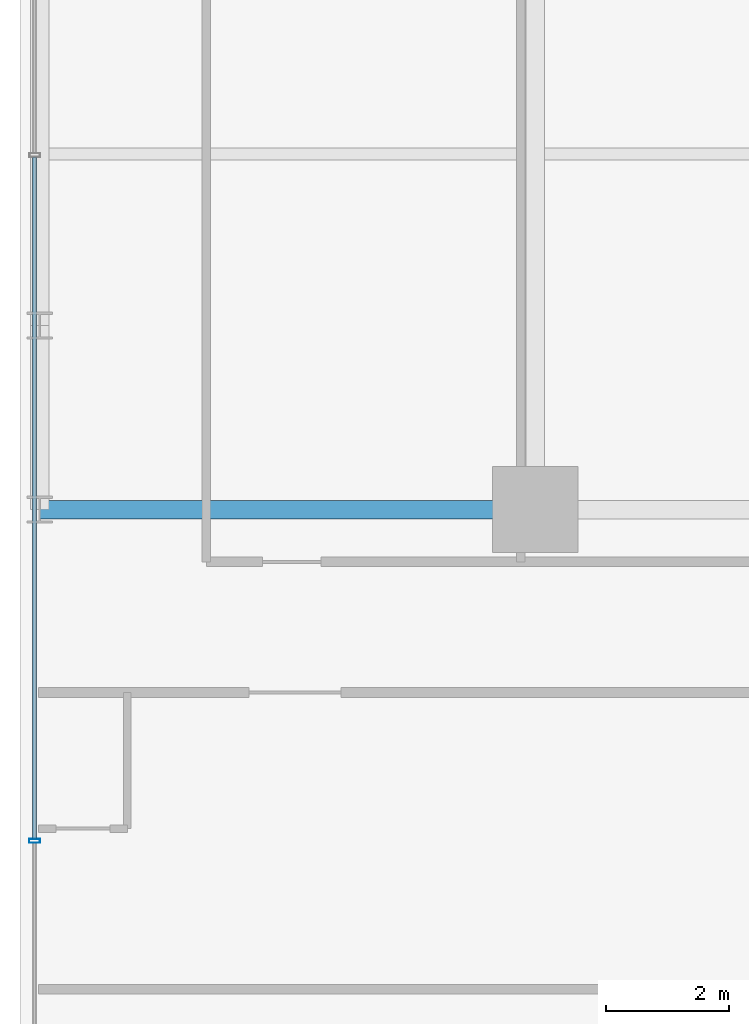
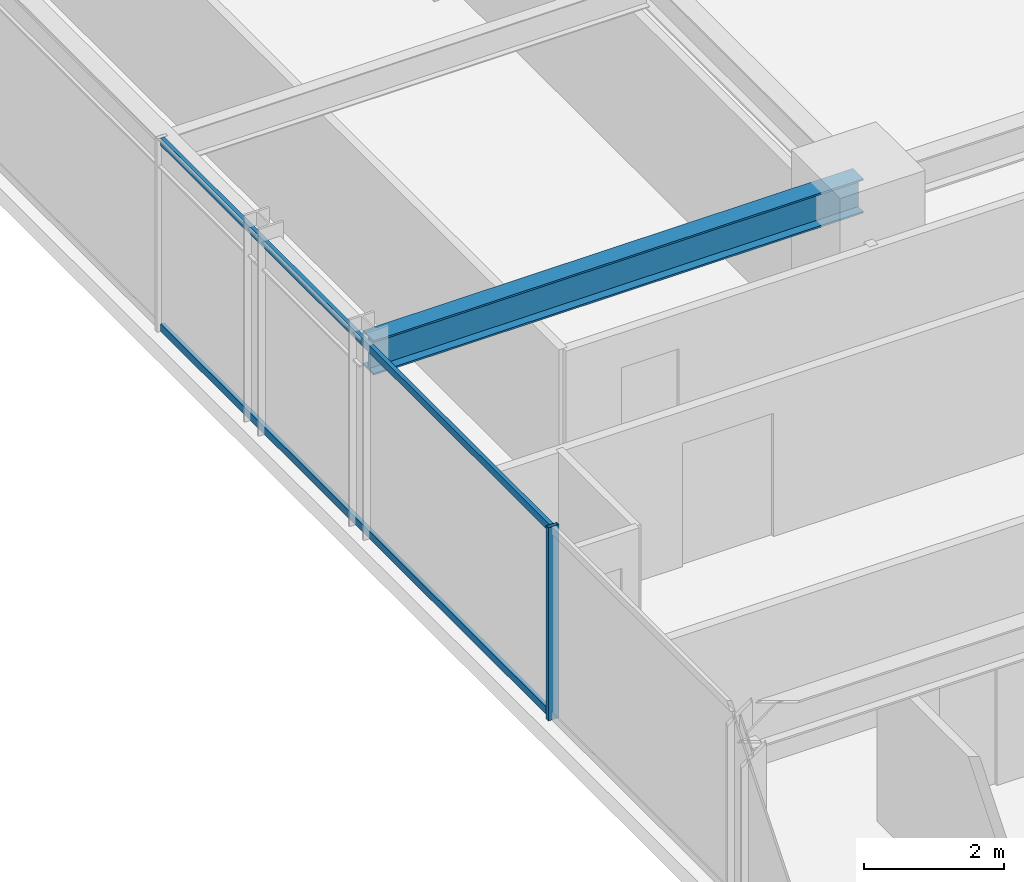
# One storey, part 10 of 35: 3 members, 1 beam, 1 element without a shape of its own.
"""IFC4 building model written with IfcOpenShell, lengths in metres."""

from ifc_helpers import new_model, si_unit, direction, frame, origin, origin_2d, place, context, subcontext, project, spatial, hollow_rectangle, i_section, extrude, source, transform, mapped, material, material_profile, profile_set, type_object, element, aggregate, save


model = new_model("IFC4")

# Units and contexts
model_context = context("Model", 3, precision=1e-05, world=origin(), true_north=direction((0.0, 1.0)))
body_context = subcontext(model_context, "Body", "Model", "MODEL_VIEW")
ifc_project = project(units=[si_unit("LENGTHUNIT", "METRE"), si_unit("AREAUNIT", "SQUARE_METRE"), si_unit("VOLUMEUNIT", "CUBIC_METRE"), si_unit("PLANEANGLEUNIT", "RADIAN"), si_unit("MASSUNIT", "GRAM", prefix="KILO")], contexts=[model_context])

# Site, building, storey
site_placement = place(None, origin())
site = spatial("IfcSite", under=ifc_project, at=site_placement, CompositionType="ELEMENT")
building_placement = place(site_placement, origin())
building = spatial("IfcBuilding", under=site, at=building_placement, Name="Nahalor Promenade Grand Hotel", CompositionType="ELEMENT")
storey_placement = place(building_placement, frame((0.0, 0.0, 39.699951171875)))
storey = spatial("IfcBuildingStorey", under=building, at=storey_placement, Name="L08", CompositionType="ELEMENT", Elevation=39.699951171875)

# Beam
ifc_material_1 = material(Name="Steel S355JR", Category="steel")
ifc_material_profile_1 = material_profile(ifc_material_1, i_section(OverallWidth=0.3, OverallDepth=0.6, WebThickness=0.0155, FlangeThickness=0.03, at=origin_2d()), Name="HEB 600")
ifc_profile_set_1 = profile_set([ifc_material_profile_1], Name="Steel S355JR")
beam_type = type_object("IfcBeamType", Name="Beam-Girder-HEB600", PredefinedType="BEAM", material=ifc_profile_set_1)
shared_shape_1 = source(origin(), body_context, "Body", "SweptSolid", [
    extrude(i_section(OverallWidth=0.3, OverallDepth=0.6, WebThickness=0.0155, FlangeThickness=0.03, at=origin_2d()), origin(), (0.0, 0.0, 1.0), 8.080078125),
])
beam_placement = place(storey_placement, frame((-25.080078125, 5.39990234375, 3.070068359375), z_axis=(1.0, 0.0, 0.0), x_axis=(0.0, 1.0, 0.0)))
element("IfcBeam", 1, at=beam_placement, inside=storey, type_object=beam_type, Name="BM-L08-GX-2-0", PredefinedType="BEAM", context=body_context, shape_type="MappedRepresentation", body=[
    mapped(shared_shape_1, transform((0.0, 0.0, 0.0), scale=1.0)),
])

# Curtain wall, members
ifc_material_2 = material(Name="Anodised Bronze Aluminium EN AW-6063 T6", Category="aluminium")
curtain_wall_type = type_object("IfcCurtainWallType", Name="CW2 Typical Hotel Flush Bronze Unitised Curtain Wall", PredefinedType="USERDEFINED", material=ifc_material_2)
curtain_wall_placement = place(storey_placement, origin())
curtain_wall = element("IfcCurtainWall", 2, at=curtain_wall_placement, inside=storey, type_object=curtain_wall_type, Name="L08 Curtain Wall CW-L08-W-1", ObjectType="UNITISED_CURTAIN_WALL", PredefinedType="USERDEFINED")
ifc_material_profile_2 = material_profile(ifc_material_2, hollow_rectangle(XDim=0.065, YDim=0.18, WallThickness=0.004, at=origin_2d()), Name="CWM 65x180x4")
ifc_profile_set_2 = profile_set([ifc_material_profile_2], Name="Anodised Bronze Aluminium EN AW-6063 T6")
member_type_1 = type_object("IfcMemberType", Name="CWM2 Typical Bronze Mullion 65x180", PredefinedType="MULLION", material=ifc_profile_set_2)
shared_shape_2 = source(origin(), body_context, "Body", "SweptSolid", [
    extrude(hollow_rectangle(XDim=0.065, YDim=0.18, WallThickness=0.004, at=origin_2d()), origin(), (0.0, 0.0, 1.0), 3.3701171875),
])
member_1_placement = place(storey_placement, frame((-25.159912109375, 0.0, 0.0), z_axis=(0.0, 0.0, 1.0), x_axis=(0.0, 1.0, 0.0)))
member_1 = element("IfcMember", 3, at=member_1_placement, type_object=member_type_1, Name="CW-L08-W-1 Mullion 2", PredefinedType="MULLION", context=body_context, shape_type="MappedRepresentation", body=[
    mapped(shared_shape_2, transform((0.0, 0.0, 0.0), scale=1.0)),
])
ifc_material_profile_3 = material_profile(ifc_material_2, hollow_rectangle(XDim=0.065, YDim=0.13, WallThickness=0.004, at=origin_2d()), Name="CWT 65x130x4")
ifc_profile_set_3 = profile_set([ifc_material_profile_3], Name="Anodised Bronze Aluminium EN AW-6063 T6")
member_type_2 = type_object("IfcMemberType", Name="CWT2 Typical Bronze Transom 65x130", PredefinedType="USERDEFINED", material=ifc_profile_set_3)
shared_shape_3 = source(origin(), body_context, "Body", "SweptSolid", [
    extrude(hollow_rectangle(XDim=0.065, YDim=0.13, WallThickness=0.004, at=origin_2d()), origin(), (0.0, 0.0, 1.0), 11.114990234375),
])
member_2_placement = place(storey_placement, frame((-25.159912109375, 0.032470703125, 0.06494140625), z_axis=(0.0, 1.0, 0.0), x_axis=(-1.0, 0.0, 0.0)))
member_2 = element("IfcMember", 4, at=member_2_placement, type_object=member_type_2, Name="CW-L08-W-1 Transom 2-0", ObjectType="TRANSOM", PredefinedType="USERDEFINED", context=body_context, shape_type="MappedRepresentation", body=[
    mapped(shared_shape_3, transform((0.0, 0.0, 0.0), scale=1.0)),
])
member_3_placement = place(storey_placement, frame((-25.159912109375, 0.032470703125, 3.304931640625), z_axis=(0.0, 1.0, 0.0), x_axis=(-1.0, 0.0, 0.0)))
member_3 = element("IfcMember", 5, at=member_3_placement, type_object=member_type_2, Name="CW-L08-W-1 Transom 2-1", ObjectType="TRANSOM", PredefinedType="USERDEFINED", context=body_context, shape_type="MappedRepresentation", body=[
    mapped(shared_shape_3, transform((0.0, 0.0, 0.0), scale=1.0)),
])
aggregate(curtain_wall, [member_1, member_2, member_3])

save(model, "model.ifc")
